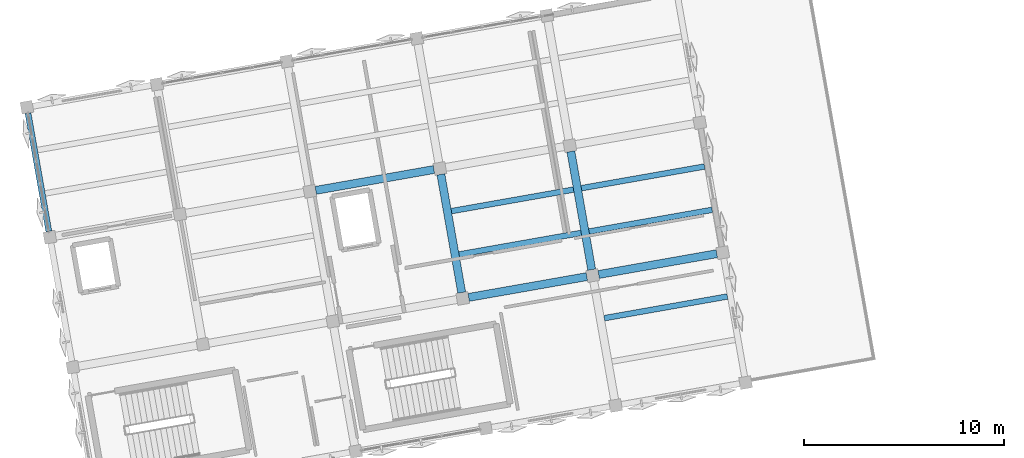
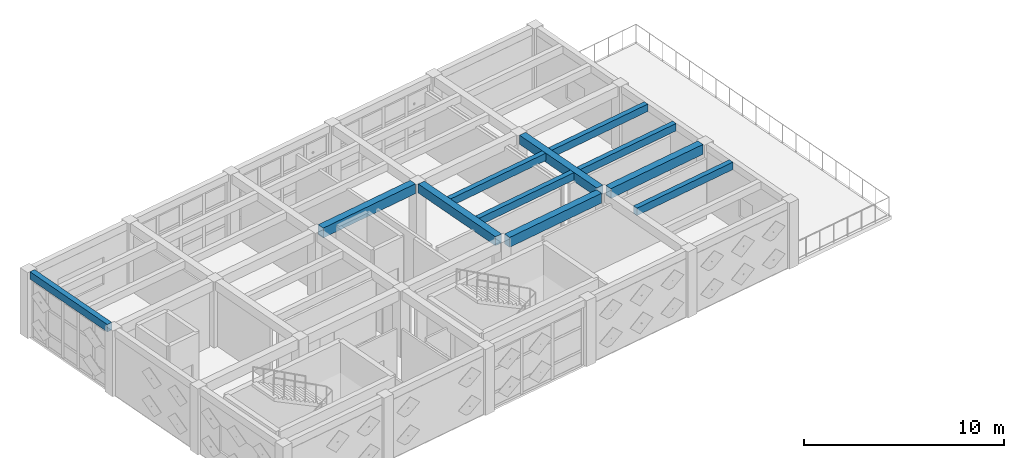
# One storey, part 5 of 18: 11 beams.
"""IFC4 building model written with IfcOpenShell, lengths in metres."""

from ifc_helpers import new_model, si_unit, direction, frame, origin, origin_2d, place, context, subcontext, project, spatial, rectangle, extrude, material, material_profile, profile_set, type_object, element, save


model = new_model("IFC4")

# Units and contexts
model_context = context("Model", 3, precision=1e-05, world=origin(), true_north=direction((0.0, 1.0)))
body_context = subcontext(model_context, "Body", "Model", "MODEL_VIEW")
ifc_project = project(units=[si_unit("LENGTHUNIT", "METRE"), si_unit("AREAUNIT", "SQUARE_METRE"), si_unit("VOLUMEUNIT", "CUBIC_METRE"), si_unit("PLANEANGLEUNIT", "RADIAN"), si_unit("MASSUNIT", "GRAM", prefix="KILO")], contexts=[model_context])

# Site, building, storey
site_placement = place(None, origin())
site = spatial("IfcSite", under=ifc_project, at=site_placement, CompositionType="ELEMENT")
building_placement = place(site_placement, origin())
building = spatial("IfcBuilding", under=site, at=building_placement, Name="Kharisveld Research Institute", CompositionType="ELEMENT")
storey_placement = place(building_placement, frame((0.0, 0.0, 36.60009765625)))
storey = spatial("IfcBuildingStorey", under=building, at=storey_placement, Name="L08", CompositionType="ELEMENT", Elevation=36.60009765625)

# Beams
ifc_material_1 = material(Name="Concrete C40/50", Category="concrete")
ifc_material_profile_1 = material_profile(ifc_material_1, rectangle(XDim=0.39990234375, YDim=0.550048828125, at=origin_2d()))
ifc_profile_set_1 = profile_set([ifc_material_profile_1], Name="Concrete C40/50")
beam_type_1 = type_object("IfcBeamType", Name="BM_RC_400x550", PredefinedType="BEAM", material=ifc_profile_set_1)
for number, where, z_axis, x_axis, name in (
    (1, (23.5009765625, 45.243408203125, 3.744873046875), (-0.173622845926, 0.984812219346, 0.0), (-0.984812219346, -0.173622845926, 0.0), "BM:V1:L08:V3_1"),
    (2, (30.000732421875, 46.389404296875, 3.744873046875), (-0.173622845926, 0.984812219346, 0.0), (-0.984812219346, -0.173622845926, 0.0), "BM:V1:L08:V4_1"),
):
    element("IfcBeam", number, at=place(storey_placement, frame(where, z_axis=z_axis, x_axis=x_axis)), inside=storey, type_object=beam_type_1, Name=name, PredefinedType="BEAM", context=body_context, shape_type="SweptSolid", body=[
        extrude(rectangle(XDim=0.39990234375, YDim=0.550048828125, at=origin_2d()), origin(), (0.0, 0.0, 1.0), 6.0),
    ])
ifc_material_2 = material(Name="Concrete C40/50", Category="concrete")
ifc_material_profile_2 = material_profile(ifc_material_2, rectangle(XDim=0.39990234375, YDim=0.60009765625, at=origin_2d()))
ifc_profile_set_2 = profile_set([ifc_material_profile_2], Name="Concrete C40/50")
beam_type_2 = type_object("IfcBeamType", Name="BM_RC_400x600", PredefinedType="BEAM", material=ifc_profile_set_2)
for number, where, z_axis, x_axis, name in (
    (3, (23.8486328125, 45.0, 3.719970703125), (0.984804034035, 0.173669267716, 0.0), (-0.173669267716, 0.984804034035, 0.0), "BM:V1:L08:U3_1"),
    (4, (30.348388671875, 46.146240234375, 3.719970703125), (0.984810992686, 0.173629803561, 0.0), (-0.173629803561, 0.984810992686, 0.0), "BM:V1:L08:U4_1"),
):
    element("IfcBeam", number, at=place(storey_placement, frame(where, z_axis=z_axis, x_axis=x_axis)), inside=storey, type_object=beam_type_2, Name=name, PredefinedType="BEAM", context=body_context, shape_type="SweptSolid", body=[
        extrude(rectangle(XDim=0.39990234375, YDim=0.60009765625, at=origin_2d()), origin(), (0.0, 0.0, 1.0), 5.999755859375),
    ])
beam_1_placement = place(storey_placement, frame((16.20263671875, 50.353759765625, 3.719970703125), z_axis=(0.984812219346, 0.173622845926, 0.0), x_axis=(-0.173622845926, 0.984812219346, 0.0)))
element("IfcBeam", 5, at=beam_1_placement, inside=storey, type_object=beam_type_2, Name="BM:V1:L08:U2_2", PredefinedType="BEAM", context=body_context, shape_type="SweptSolid", body=[
    extrude(rectangle(XDim=0.39990234375, YDim=0.60009765625, at=origin_2d()), origin(), (0.0, 0.0, 1.0), 6.0),
])
ifc_material_3 = material(Name="Concrete C40/50", Category="concrete")
ifc_material_profile_3 = material_profile(ifc_material_3, rectangle(XDim=0.300048828125, YDim=0.449951171875, at=origin_2d()))
ifc_profile_set_3 = profile_set([ifc_material_profile_3], Name="Concrete C40/50")
beam_type_3 = type_object("IfcBeamType", Name="SP_RC_300x450", PredefinedType="SPANDREL", material=ifc_profile_set_3)
beam_2_placement = place(storey_placement, frame((2.855712890625, 48.304931640625, 3.794921875), z_axis=(-0.173622845926, 0.984812219346, 0.0), x_axis=(-0.984812219346, -0.173622845926, 0.0)))
element("IfcBeam", 6, at=beam_2_placement, inside=storey, type_object=beam_type_3, Name="BM:V1:L08:V0_2", PredefinedType="SPANDREL", context=body_context, shape_type="SweptSolid", body=[
    extrude(rectangle(XDim=0.300048828125, YDim=0.449951171875, at=origin_2d()), origin(), (0.0, 0.0, 1.0), 6.0),
])
ifc_material_4 = material(Name="Concrete C40/50", Category="concrete")
ifc_material_profile_4 = material_profile(ifc_material_4, rectangle(XDim=0.280029296875, YDim=0.449951171875, at=origin_2d()))
ifc_profile_set_4 = profile_set([ifc_material_profile_4], Name="Concrete C40/50")
beam_type_4 = type_object("IfcBeamType", Name="WB_RC_280x450", PredefinedType="JOIST", material=ifc_profile_set_4)
for number, where, z_axis, x_axis, name in (
    (7, (23.3681640625, 47.149169921875, 3.794921875), (0.984806146634, 0.173657287643, 0.0), (-0.173657287643, 0.984806146634, 0.0), "BM:V1:L08:J_3_1_R1"),
    (8, (22.986083984375, 49.31591796875, 3.794921875), (0.984806146634, 0.173657287643, 0.0), (-0.173657287643, 0.984806146634, 0.0), "BM:V1:L08:J_3_1_R2"),
):
    element("IfcBeam", number, at=place(storey_placement, frame(where, z_axis=z_axis, x_axis=x_axis)), inside=storey, type_object=beam_type_4, Name=name, PredefinedType="JOIST", context=body_context, shape_type="SweptSolid", body=[
        extrude(rectangle(XDim=0.280029296875, YDim=0.449951171875, at=origin_2d()), origin(), (0.0, 0.0, 1.0), 6.199951171875),
    ])
beam_3_placement = place(storey_placement, frame((30.6318359375, 43.962158203125, 3.794921875), z_axis=(0.984803607817, 0.173671684596, 0.0), x_axis=(-0.173671684596, 0.984803607817, 0.0)))
element("IfcBeam", 9, at=beam_3_placement, inside=storey, type_object=beam_type_4, Name="BM:V1:L08:J_4_0_R2", PredefinedType="JOIST", context=body_context, shape_type="SweptSolid", body=[
    extrude(rectangle(XDim=0.280029296875, YDim=0.449951171875, at=origin_2d()), origin(), (0.0, 0.0, 1.0), 6.25),
])
beam_4_placement = place(storey_placement, frame((29.86767578125, 48.29541015625, 3.794921875), z_axis=(0.984811465706, 0.17362712062, 0.0), x_axis=(-0.17362712062, 0.984811465706, 0.0)))
element("IfcBeam", 10, at=beam_4_placement, inside=storey, type_object=beam_type_4, Name="BM:V1:L08:J_4_1_R1", PredefinedType="JOIST", context=body_context, shape_type="SweptSolid", body=[
    extrude(rectangle(XDim=0.280029296875, YDim=0.449951171875, at=origin_2d()), origin(), (0.0, 0.0, 1.0), 6.250244140625),
])
beam_5_placement = place(storey_placement, frame((29.48583984375, 50.4619140625, 3.794921875), z_axis=(0.984810288083, 0.17363379995, 0.0), x_axis=(-0.17363379995, 0.984810288083, 0.0)))
element("IfcBeam", 11, at=beam_5_placement, inside=storey, type_object=beam_type_4, Name="BM:V1:L08:J_4_1_R2", PredefinedType="JOIST", context=body_context, shape_type="SweptSolid", body=[
    extrude(rectangle(XDim=0.280029296875, YDim=0.449951171875, at=origin_2d()), origin(), (0.0, 0.0, 1.0), 6.25),
])

save(model, "model.ifc")
